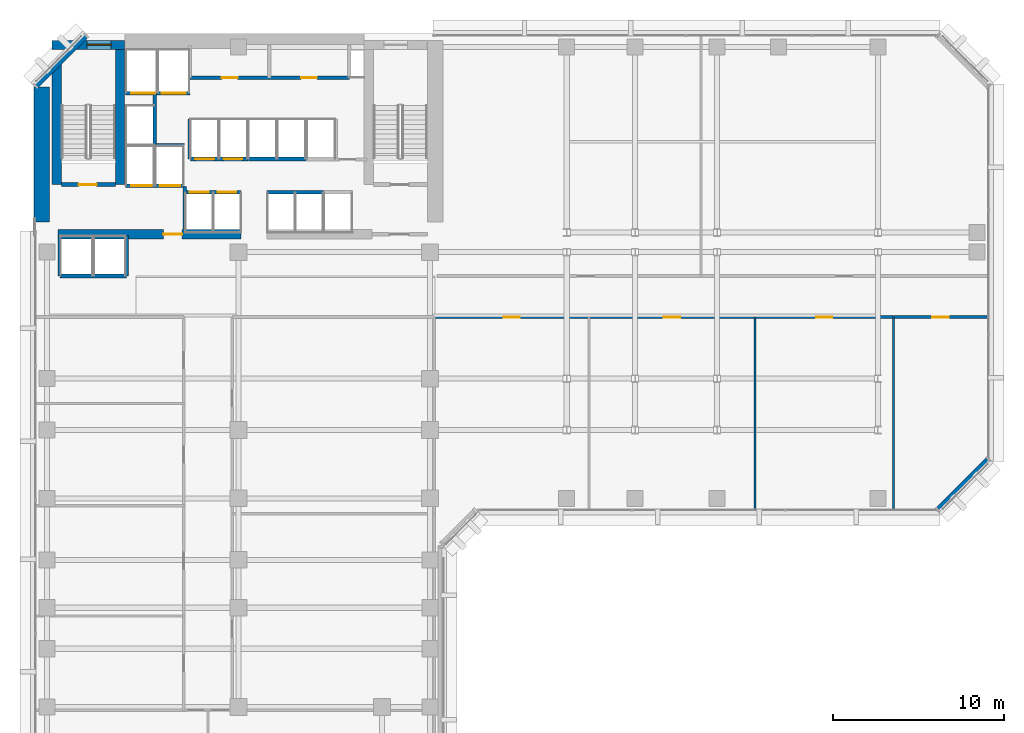
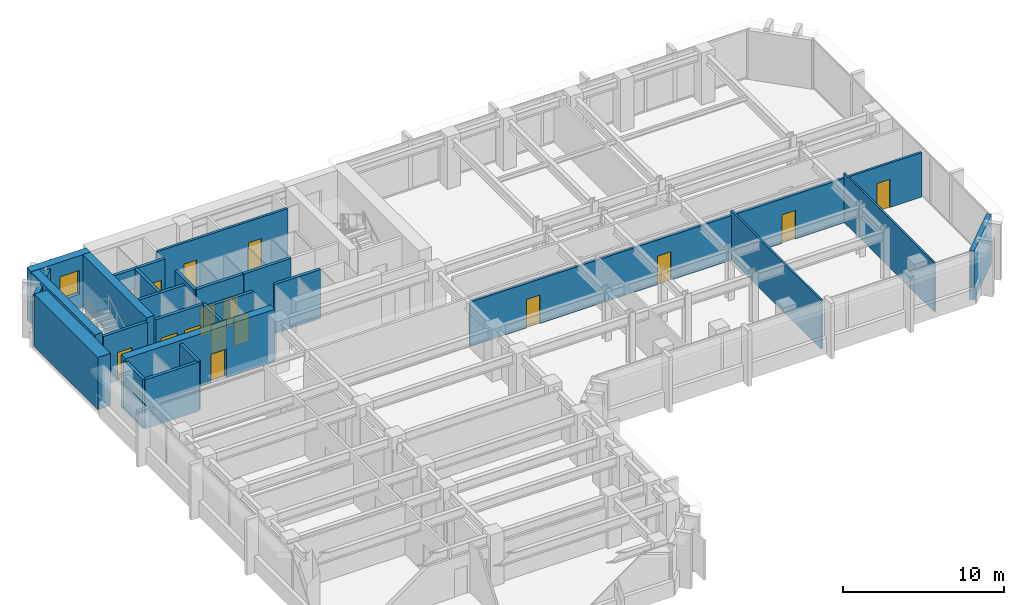
# One storey, part 7 of 13: 25 walls, 16 doors, 1 window, 17 openings.
"""IFC4 building model written with IfcOpenShell, lengths in metres."""

from ifc_helpers import new_model, si_unit, direction, frame, frame_2d, origin, place, context, subcontext, project, spatial, rectangle, extrude, material, layer, layer_set, type_object, element, fill, save


model = new_model("IFC4")

# Units and contexts
model_context = context("Model", 3, precision=1e-05, world=origin(), true_north=direction((0.0, 1.0)))
body_context = subcontext(model_context, "Body", "Model", "MODEL_VIEW")
ifc_project = project(units=[si_unit("LENGTHUNIT", "METRE"), si_unit("AREAUNIT", "SQUARE_METRE"), si_unit("VOLUMEUNIT", "CUBIC_METRE"), si_unit("PLANEANGLEUNIT", "RADIAN"), si_unit("MASSUNIT", "GRAM", prefix="KILO")], contexts=[model_context])

# Site, building, storey
site_placement = place(None, origin())
site = spatial("IfcSite", under=ifc_project, at=site_placement, CompositionType="ELEMENT")
building_placement = place(site_placement, origin())
building = spatial("IfcBuilding", under=site, at=building_placement, Name="Kefirva Bronze Tower", CompositionType="ELEMENT")
storey_placement = place(building_placement, frame((0.0, 0.0, 106.590087890625)))
storey = spatial("IfcBuildingStorey", under=building, at=storey_placement, Name="L25", CompositionType="ELEMENT", Elevation=106.590087890625)

# Walls
ifc_material_1 = material(Name="Gypsum acoustic partition")
ifc_layer_1 = layer(ifc_material_1, 0.1298828125, Name="Gypsum acoustic partition")
ifc_layer_set_1 = layer_set([ifc_layer_1], Name="Gypsum acoustic partition")
wall_type_1 = type_object("IfcWallType", Name="Acoustic Office Partition 130mm", PredefinedType="PARTITIONING", material=ifc_layer_set_1)
for number, where, z_axis, x_axis, name in (
    (1, (42.21875, 18.18994140625, 0.0), (0.0, 0.0, 1.0), (0.0, 1.0, 0.0), "L25 Partition W-L25-ESD2"),
    (2, (50.308837890625, 18.18994140625, 0.0), (0.0, 0.0, 1.0), (0.0, 1.0, 0.0), "L25 Partition W-L25-ESD3"),
):
    element("IfcWall", number, at=place(storey_placement, frame(where, z_axis=z_axis, x_axis=x_axis)), inside=storey, type_object=wall_type_1, Name=name, PredefinedType="PARTITIONING", context=body_context, shape_type="SweptSolid", body=[
        extrude(rectangle(XDim=11.2099609375, YDim=0.1298828125, at=frame_2d((5.60498046875, 0.0))), origin(), (0.0, 0.0, 1.0), 3.7099609375),
    ])

# Wall, opening, door
ifc_material_2 = material(Name="Gypsum fireboard shaftwall")
ifc_layer_2 = layer(ifc_material_2, 0.219970703125, Name="Gypsum fireboard shaftwall")
ifc_layer_set_2 = layer_set([ifc_layer_2], Name="Gypsum fireboard shaftwall")
wall_type_2 = type_object("IfcWallType", Name="Fire-Rated Shaft Enclosure Wall 220mm", PredefinedType="PARTITIONING", material=ifc_layer_set_2)
wall_1_placement = place(storey_placement, frame((1.64990234375, 37.14990234375, 0.0), z_axis=(0.0, 0.0, 1.0), x_axis=(1.0, 0.0, 0.0)))
wall_1 = element("IfcWall", 3, at=wall_1_placement, inside=storey, type_object=wall_type_2, Name="L25 Partition W-L25-ST1S", PredefinedType="PARTITIONING", context=body_context, shape_type="SweptSolid", body=[
    extrude(rectangle(XDim=3.150146484375, YDim=0.219970703125, at=frame_2d((1.5751953125, 0.0))), origin(), (0.0, 0.0, 1.0), 3.7099609375),
])
opening_1_placement = place(wall_1_placement, frame((2.050048828125, 0.0, 0.0), z_axis=(0.0, 0.0, 1.0), x_axis=(-1.0, 0.0, 0.0)))
opening_1 = element("IfcOpeningElement", 4, at=opening_1_placement, cuts=wall_1, Name="Opening L25-D001", PredefinedType="OPENING", context=body_context, shape_type="SweptSolid", body=[
    extrude(rectangle(XDim=1.050048828125, YDim=2.14990234375, at=frame_2d((0.52490234375, 1.074951171875))), frame((0.0, 0.1201171875, 0.0), z_axis=(0.0, -1.0, 0.0), x_axis=(1.0, 0.0, 0.0)), (0.0, 0.0, 1.0), 0.239990234375),
])
ifc_material_3 = material(Name="Painted galvanized steel", Category="steel")
door_type_1 = type_object("IfcDoorType", Name="Fire Stair Enclosure Door 1050x2150 FD90S", OperationType="NOTDEFINED", PredefinedType="DOOR", material=ifc_material_3)
door_1_placement = place(opening_1_placement, origin())
door_1 = element("IfcDoor", 5, at=door_1_placement, inside=storey, type_object=door_type_1, Name="Door L25-D001", OperationType="SINGLE_SWING_LEFT", OverallHeight=2.14990234375, OverallWidth=1.050048828125, PredefinedType="DOOR", context=body_context, shape_type="SweptSolid", body=[
    extrude(rectangle(XDim=1.050048828125, YDim=2.14990234375, at=frame_2d((0.52490234375, 1.074951171875))), frame((0.0, 0.02490234375, 0.0), z_axis=(0.0, -1.0, 0.0), x_axis=(1.0, 0.0, 0.0)), (0.0, 0.0, 1.0), 0.050048828125),
])
fill(opening_1, door_1)

# Wall, openings, doors
wall_2_placement = place(storey_placement, frame((5.3798828125, 37.080078125, 0.0), z_axis=(0.0, 0.0, 1.0), x_axis=(1.0, 0.0, 0.0)))
wall_2 = element("IfcWall", 6, at=wall_2_placement, inside=storey, type_object=wall_type_2, Name="L25 Partition W-L25-FFS", PredefinedType="PARTITIONING", context=body_context, shape_type="SweptSolid", body=[
    extrude(rectangle(XDim=3.460205078125, YDim=0.219970703125, at=frame_2d((1.72998046875, 0.0))), origin(), (0.0, 0.0, 1.0), 3.7099609375),
])
opening_2_placement = place(wall_2_placement, frame((1.550048828125, 0.0, 0.0), z_axis=(0.0, 0.0, 1.0), x_axis=(-1.0, 0.0, 0.0)))
opening_2 = element("IfcOpeningElement", 7, at=opening_2_placement, cuts=wall_2, Name="Opening L25-LD-FF1", PredefinedType="OPENING", context=body_context, shape_type="SweptSolid", body=[
    extrude(rectangle(XDim=1.199951171875, YDim=2.199951171875, at=frame_2d((0.60009765625, 1.10009765625))), frame((0.0, 0.1201171875, 0.0), z_axis=(0.0, -1.0, 0.0), x_axis=(1.0, 0.0, 0.0)), (0.0, 0.0, 1.0), 0.239990234375),
])
opening_3_placement = place(wall_2_placement, frame((3.219970703125, 0.0, 0.0), z_axis=(0.0, 0.0, 1.0), x_axis=(-1.0, 0.0, 0.0)))
opening_3 = element("IfcOpeningElement", 8, at=opening_3_placement, cuts=wall_2, Name="Opening L25-LD-FF2", PredefinedType="OPENING", context=body_context, shape_type="SweptSolid", body=[
    extrude(rectangle(XDim=1.199951171875, YDim=2.199951171875, at=frame_2d((0.60009765625, 1.10009765625))), frame((0.0, 0.1201171875, 0.0), z_axis=(0.0, -1.0, 0.0), x_axis=(1.0, 0.0, 0.0)), (0.0, 0.0, 1.0), 0.239990234375),
])
ifc_material_4 = material(Name="Stainless steel 316", Category="steel")
door_type_2 = type_object("IfcDoorType", Name="Firefighting Lift Sliding Door 1200x2200", OperationType="SLIDING_TO_RIGHT", PredefinedType="DOOR", material=ifc_material_4)
door_2_placement = place(opening_2_placement, origin())
door_2 = element("IfcDoor", 9, at=door_2_placement, inside=storey, type_object=door_type_2, Name="Door L25-LD-FF1", OperationType="SLIDING_TO_RIGHT", OverallHeight=2.199951171875, OverallWidth=1.199951171875, PredefinedType="DOOR", context=body_context, shape_type="SweptSolid", body=[
    extrude(rectangle(XDim=1.199951171875, YDim=2.199951171875, at=frame_2d((0.60009765625, 1.10009765625))), frame((0.0, 0.02490234375, 0.0), z_axis=(0.0, -1.0, 0.0), x_axis=(1.0, 0.0, 0.0)), (0.0, 0.0, 1.0), 0.050048828125),
])
fill(opening_2, door_2)
door_3_placement = place(opening_3_placement, origin())
door_3 = element("IfcDoor", 10, at=door_3_placement, inside=storey, type_object=door_type_2, Name="Door L25-LD-FF2", OperationType="SLIDING_TO_RIGHT", OverallHeight=2.199951171875, OverallWidth=1.199951171875, PredefinedType="DOOR", context=body_context, shape_type="SweptSolid", body=[
    extrude(rectangle(XDim=1.199951171875, YDim=2.199951171875, at=frame_2d((0.60009765625, 1.10009765625))), frame((0.0, 0.02490234375, 0.0), z_axis=(0.0, -1.0, 0.0), x_axis=(1.0, 0.0, 0.0)), (0.0, 0.0, 1.0), 0.050048828125),
])
fill(opening_3, door_3)

# Wall
wall_3_placement = place(storey_placement, frame((5.3798828125, 39.449951171875, 0.0), z_axis=(0.0, 0.0, 1.0), x_axis=(1.0, 0.0, 0.0)))
element("IfcWall", 11, at=wall_3_placement, inside=storey, type_object=wall_type_2, Name="L25 Partition W-L25-FFN", PredefinedType="PARTITIONING", context=body_context, shape_type="SweptSolid", body=[
    extrude(rectangle(XDim=3.460205078125, YDim=0.219970703125, at=frame_2d((1.72998046875, 0.0))), origin(), (0.0, 0.0, 1.0), 3.7099609375),
])

# Wall, openings, doors
wall_4_placement = place(storey_placement, frame((5.3798828125, 42.5, 0.0), z_axis=(0.0, 0.0, 1.0), x_axis=(1.0, 0.0, 0.0)))
wall_4 = element("IfcWall", 12, at=wall_4_placement, inside=storey, type_object=wall_type_2, Name="L25 Partition W-L25-SVS", PredefinedType="PARTITIONING", context=body_context, shape_type="SweptSolid", body=[
    extrude(rectangle(XDim=3.77001953125, YDim=0.219970703125, at=frame_2d((1.885009765625, 0.0))), origin(), (0.0, 0.0, 1.0), 3.7099609375),
])
opening_4_placement = place(wall_4_placement, frame((1.75, 0.0, 0.0), z_axis=(0.0, 0.0, 1.0), x_axis=(-1.0, 0.0, 0.0)))
opening_4 = element("IfcOpeningElement", 13, at=opening_4_placement, cuts=wall_4, Name="Opening L25-LD-SV1", PredefinedType="OPENING", context=body_context, shape_type="SweptSolid", body=[
    extrude(rectangle(XDim=1.39990234375, YDim=2.199951171875, at=frame_2d((0.699951171875, 1.10009765625))), frame((0.0, 0.1201171875, 0.0), z_axis=(0.0, -1.0, 0.0), x_axis=(1.0, 0.0, 0.0)), (0.0, 0.0, 1.0), 0.239990234375),
])
opening_5_placement = place(wall_4_placement, frame((3.52978515625, 0.0, 0.0), z_axis=(0.0, 0.0, 1.0), x_axis=(-1.0, 0.0, 0.0)))
opening_5 = element("IfcOpeningElement", 14, at=opening_5_placement, cuts=wall_4, Name="Opening L25-LD-SV2", PredefinedType="OPENING", context=body_context, shape_type="SweptSolid", body=[
    extrude(rectangle(XDim=1.39990234375, YDim=2.199951171875, at=frame_2d((0.699951171875, 1.10009765625))), frame((0.0, 0.1201171875, 0.0), z_axis=(0.0, -1.0, 0.0), x_axis=(1.0, 0.0, 0.0)), (0.0, 0.0, 1.0), 0.239990234375),
])
door_type_3 = type_object("IfcDoorType", Name="Goods Lift Bi-Parting Sliding Door 1400x2200", OperationType="SLIDING_TO_LEFT", PredefinedType="DOOR", material=ifc_material_4)
door_4_placement = place(opening_4_placement, origin())
door_4 = element("IfcDoor", 15, at=door_4_placement, inside=storey, type_object=door_type_3, Name="Door L25-LD-SV1", OperationType="SLIDING_TO_LEFT", OverallHeight=2.199951171875, OverallWidth=1.39990234375, PredefinedType="DOOR", context=body_context, shape_type="SweptSolid", body=[
    extrude(rectangle(XDim=1.39990234375, YDim=2.199951171875, at=frame_2d((0.699951171875, 1.10009765625))), frame((0.0, 0.02490234375, 0.0), z_axis=(0.0, -1.0, 0.0), x_axis=(1.0, 0.0, 0.0)), (0.0, 0.0, 1.0), 0.050048828125),
])
fill(opening_4, door_4)
door_5_placement = place(opening_5_placement, origin())
door_5 = element("IfcDoor", 16, at=door_5_placement, inside=storey, type_object=door_type_3, Name="Door L25-LD-SV2", OperationType="SLIDING_TO_LEFT", OverallHeight=2.199951171875, OverallWidth=1.39990234375, PredefinedType="DOOR", context=body_context, shape_type="SweptSolid", body=[
    extrude(rectangle(XDim=1.39990234375, YDim=2.199951171875, at=frame_2d((0.699951171875, 1.10009765625))), frame((0.0, 0.02490234375, 0.0), z_axis=(0.0, -1.0, 0.0), x_axis=(1.0, 0.0, 0.0)), (0.0, 0.0, 1.0), 0.050048828125),
])
fill(opening_5, door_5)

# Walls
wall_5_placement = place(storey_placement, frame((7.10009765625, 39.52001953125, 0.0), z_axis=(0.0, 0.0, 1.0), x_axis=(0.0, 1.0, 0.0)))
element("IfcWall", 17, at=wall_5_placement, inside=storey, type_object=wall_type_2, Name="L25 Partition W-L25-HP3E", PredefinedType="PARTITIONING", context=body_context, shape_type="SweptSolid", body=[
    extrude(rectangle(XDim=2.929931640625, YDim=0.219970703125, at=frame_2d((1.46484375, 0.0))), origin(), (0.0, 0.0, 1.0), 3.7099609375),
])
wall_6_placement = place(storey_placement, frame((1.550048828125, 31.800048828125, 0.0), z_axis=(0.0, 0.0, 1.0), x_axis=(1.0, 0.0, 0.0)))
element("IfcWall", 18, at=wall_6_placement, inside=storey, type_object=wall_type_2, Name="L25 Partition W-L25-OBS", PredefinedType="PARTITIONING", context=body_context, shape_type="SweptSolid", body=[
    extrude(rectangle(XDim=3.89990234375, YDim=0.219970703125, at=frame_2d((1.949951171875, 0.0))), origin(), (0.0, 0.0, 1.0), 3.7099609375),
])
for number, where, z_axis, x_axis, name in (
    (19, (1.550048828125, 31.800048828125, 0.0), (0.0, 0.0, 1.0), (0.0, 1.0, 0.0), "L25 Partition W-L25-OBW"),
    (20, (5.449951171875, 31.800048828125, 0.0), (0.0, 0.0, 1.0), (0.0, 1.0, 0.0), "L25 Partition W-L25-OBE"),
):
    element("IfcWall", number, at=place(storey_placement, frame(where, z_axis=z_axis, x_axis=x_axis)), inside=storey, type_object=wall_type_2, Name=name, PredefinedType="PARTITIONING", context=body_context, shape_type="SweptSolid", body=[
        extrude(rectangle(XDim=2.3798828125, YDim=0.219970703125, at=frame_2d((1.18994140625, 0.0))), origin(), (0.0, 0.0, 1.0), 3.7099609375),
    ])
wall_7_placement = place(storey_placement, frame((9.159912109375, 38.64990234375, 0.0), z_axis=(0.0, 0.0, 1.0), x_axis=(0.0, 1.0, 0.0)))
element("IfcWall", 21, at=wall_7_placement, inside=storey, type_object=wall_type_2, Name="L25 Partition W-L25-LP3W", PredefinedType="PARTITIONING", context=body_context, shape_type="SweptSolid", body=[
    extrude(rectangle(XDim=2.35009765625, YDim=0.199951171875, at=frame_2d((1.175048828125, 0.0))), origin(), (0.0, 0.0, 1.0), 3.7099609375),
])

# Wall, openings, doors
wall_8_placement = place(storey_placement, frame((8.89990234375, 36.699951171875, 0.0), z_axis=(0.0, 0.0, 1.0), x_axis=(1.0, 0.0, 0.0)))
wall_8 = element("IfcWall", 22, at=wall_8_placement, inside=storey, type_object=wall_type_2, Name="L25 Partition W-L25-LPS", PredefinedType="PARTITIONING", context=body_context, shape_type="SweptSolid", body=[
    extrude(rectangle(XDim=3.260009765625, YDim=0.219970703125, at=frame_2d((1.6298828125, 0.0))), origin(), (0.0, 0.0, 1.0), 3.7099609375),
])
opening_6_placement = place(wall_8_placement, frame((0.260009765625, 0.0, 0.0)))
opening_6 = element("IfcOpeningElement", 23, at=opening_6_placement, cuts=wall_8, Name="Opening L25-LD-LP1", PredefinedType="OPENING", context=body_context, shape_type="SweptSolid", body=[
    extrude(rectangle(XDim=1.10009765625, YDim=2.199951171875, at=frame_2d((0.550048828125, 1.10009765625))), frame((0.0, 0.1201171875, 0.0), z_axis=(0.0, -1.0, 0.0), x_axis=(1.0, 0.0, 0.0)), (0.0, 0.0, 1.0), 0.239990234375),
])
opening_7_placement = place(wall_8_placement, frame((1.8798828125, 0.0, 0.0)))
opening_7 = element("IfcOpeningElement", 24, at=opening_7_placement, cuts=wall_8, Name="Opening L25-LD-LP2", PredefinedType="OPENING", context=body_context, shape_type="SweptSolid", body=[
    extrude(rectangle(XDim=1.10009765625, YDim=2.199951171875, at=frame_2d((0.550048828125, 1.10009765625))), frame((0.0, 0.1201171875, 0.0), z_axis=(0.0, -1.0, 0.0), x_axis=(1.0, 0.0, 0.0)), (0.0, 0.0, 1.0), 0.239990234375),
])
door_type_4 = type_object("IfcDoorType", Name="Passenger Lift Sliding Landing Door 1100x2200", OperationType="SLIDING_TO_LEFT", PredefinedType="DOOR", material=ifc_material_4)
door_6_placement = place(opening_6_placement, origin())
door_6 = element("IfcDoor", 25, at=door_6_placement, inside=storey, type_object=door_type_4, Name="Door L25-LD-LP1", OperationType="SLIDING_TO_LEFT", OverallHeight=2.199951171875, OverallWidth=1.10009765625, PredefinedType="DOOR", context=body_context, shape_type="SweptSolid", body=[
    extrude(rectangle(XDim=1.10009765625, YDim=2.199951171875, at=frame_2d((0.550048828125, 1.10009765625))), frame((0.0, 0.02490234375, 0.0), z_axis=(0.0, -1.0, 0.0), x_axis=(1.0, 0.0, 0.0)), (0.0, 0.0, 1.0), 0.050048828125),
])
fill(opening_6, door_6)
door_7_placement = place(opening_7_placement, origin())
door_7 = element("IfcDoor", 26, at=door_7_placement, inside=storey, type_object=door_type_4, Name="Door L25-LD-LP2", OperationType="SLIDING_TO_LEFT", OverallHeight=2.199951171875, OverallWidth=1.10009765625, PredefinedType="DOOR", context=body_context, shape_type="SweptSolid", body=[
    extrude(rectangle(XDim=1.10009765625, YDim=2.199951171875, at=frame_2d((0.550048828125, 1.10009765625))), frame((0.0, 0.02490234375, 0.0), z_axis=(0.0, -1.0, 0.0), x_axis=(1.0, 0.0, 0.0)), (0.0, 0.0, 1.0), 0.050048828125),
])
fill(opening_7, door_7)

wall_9_placement = place(storey_placement, frame((9.179931640625, 38.64990234375, 0.0), z_axis=(0.0, 0.0, 1.0), x_axis=(1.0, 0.0, 0.0)))
wall_9 = element("IfcWall", 27, at=wall_9_placement, inside=storey, type_object=wall_type_2, Name="L25 Partition W-L25-LPN", PredefinedType="PARTITIONING", context=body_context, shape_type="SweptSolid", body=[
    extrude(rectangle(XDim=3.380126953125, YDim=0.219970703125, at=frame_2d((1.68994140625, 0.0))), origin(), (0.0, 0.0, 1.0), 3.7099609375),
])
opening_8_placement = place(wall_9_placement, frame((0.300048828125, 0.0, 0.0)))
opening_8 = element("IfcOpeningElement", 28, at=opening_8_placement, cuts=wall_9, Name="Opening L25-LD-LP3", PredefinedType="OPENING", context=body_context, shape_type="SweptSolid", body=[
    extrude(rectangle(XDim=1.10009765625, YDim=2.199951171875, at=frame_2d((0.550048828125, 1.10009765625))), frame((0.0, 0.1201171875, 0.0), z_axis=(0.0, -1.0, 0.0), x_axis=(1.0, 0.0, 0.0)), (0.0, 0.0, 1.0), 0.239990234375),
])
opening_9_placement = place(wall_9_placement, frame((1.949951171875, 0.0, 0.0)))
opening_9 = element("IfcOpeningElement", 29, at=opening_9_placement, cuts=wall_9, Name="Opening L25-LD-LP4", PredefinedType="OPENING", context=body_context, shape_type="SweptSolid", body=[
    extrude(rectangle(XDim=1.10009765625, YDim=2.199951171875, at=frame_2d((0.550048828125, 1.10009765625))), frame((0.0, 0.1201171875, 0.0), z_axis=(0.0, -1.0, 0.0), x_axis=(1.0, 0.0, 0.0)), (0.0, 0.0, 1.0), 0.239990234375),
])
door_8_placement = place(opening_8_placement, origin())
door_8 = element("IfcDoor", 30, at=door_8_placement, inside=storey, type_object=door_type_4, Name="Door L25-LD-LP3", OperationType="SLIDING_TO_LEFT", OverallHeight=2.199951171875, OverallWidth=1.10009765625, PredefinedType="DOOR", context=body_context, shape_type="SweptSolid", body=[
    extrude(rectangle(XDim=1.10009765625, YDim=2.199951171875, at=frame_2d((0.550048828125, 1.10009765625))), frame((0.0, 0.02490234375, 0.0), z_axis=(0.0, -1.0, 0.0), x_axis=(1.0, 0.0, 0.0)), (0.0, 0.0, 1.0), 0.050048828125),
])
fill(opening_8, door_8)
door_9_placement = place(opening_9_placement, origin())
door_9 = element("IfcDoor", 31, at=door_9_placement, inside=storey, type_object=door_type_4, Name="Door L25-LD-LP4", OperationType="SLIDING_TO_LEFT", OverallHeight=2.199951171875, OverallWidth=1.10009765625, PredefinedType="DOOR", context=body_context, shape_type="SweptSolid", body=[
    extrude(rectangle(XDim=1.10009765625, YDim=2.199951171875, at=frame_2d((0.550048828125, 1.10009765625))), frame((0.0, 0.02490234375, 0.0), z_axis=(0.0, -1.0, 0.0), x_axis=(1.0, 0.0, 0.0)), (0.0, 0.0, 1.0), 0.050048828125),
])
fill(opening_9, door_9)

# Walls
wall_10_placement = place(storey_placement, frame((13.679931640625, 36.699951171875, 0.0), z_axis=(0.0, 0.0, 1.0), x_axis=(1.0, 0.0, 0.0)))
element("IfcWall", 32, at=wall_10_placement, inside=storey, type_object=wall_type_2, Name="L25 Partition W-L25-MPS", PredefinedType="PARTITIONING", context=body_context, shape_type="SweptSolid", body=[
    extrude(rectangle(XDim=3.280029296875, YDim=0.219970703125, at=frame_2d((1.64013671875, 0.0))), origin(), (0.0, 0.0, 1.0), 3.7099609375),
])
wall_11_placement = place(storey_placement, frame((12.580078125, 38.64990234375, 0.0), z_axis=(0.0, 0.0, 1.0), x_axis=(1.0, 0.0, 0.0)))
element("IfcWall", 33, at=wall_11_placement, inside=storey, type_object=wall_type_2, Name="L25 Partition W-L25-MPN", PredefinedType="PARTITIONING", context=body_context, shape_type="SweptSolid", body=[
    extrude(rectangle(XDim=3.3798828125, YDim=0.219970703125, at=frame_2d((1.68994140625, 0.0))), origin(), (0.0, 0.0, 1.0), 3.7099609375),
])
ifc_material_5 = material(Name="Gypsum fireboard barrier")
ifc_layer_3 = layer(ifc_material_5, 0.199951171875, Name="Gypsum fireboard barrier")
ifc_layer_set_3 = layer_set([ifc_layer_3], Name="Gypsum fireboard barrier")
wall_type_3 = type_object("IfcWallType", Name="Firefighting Lobby Barrier Wall 200mm", PredefinedType="PARTITIONING", material=ifc_layer_set_3)
wall_12_placement = place(storey_placement, frame((8.860107421875, 34.550048828125, 0.0), z_axis=(0.0, 0.0, 1.0), x_axis=(0.0, 1.0, 0.0)))
element("IfcWall", 34, at=wall_12_placement, inside=storey, type_object=wall_type_3, Name="L25 Partition W-L25-FFLE", PredefinedType="PARTITIONING", context=body_context, shape_type="SweptSolid", body=[
    extrude(rectangle(XDim=2.5, YDim=0.199951171875, at=frame_2d((1.25, 0.0))), origin(), (0.0, 0.0, 1.0), 3.7099609375),
])
ifc_material_6 = material(Name="Precast concrete C40/50", Category="concrete")
ifc_layer_4 = layer(ifc_material_6, 0.320068359375, Name="Precast concrete C40/50")
ifc_layer_set_4 = layer_set([ifc_layer_4], Name="Precast concrete C40/50")
wall_type_4 = type_object("IfcWallType", Name="Precast Insulated Exterior Wall 320mm", PredefinedType="SOLIDWALL", material=ifc_layer_set_4)
for number, where, z_axis, x_axis, name in (
    (35, (52.92578125, 18.152099609375, 0.0), (0.0, 0.0, 1.0), (0.707106781187, 0.707106781187, 0.0), "L25 Exterior Facade Wall 4"),
    (36, (3.07421875, 45.847900390625, 0.0), (0.0, 0.0, 1.0), (-0.707106781187, -0.707106781187, 0.0), "L25 Exterior Facade Wall 6"),
):
    element("IfcWall", number, at=place(storey_placement, frame(where, z_axis=z_axis, x_axis=x_axis)), inside=storey, type_object=wall_type_4, Name=name, PredefinedType="SOLIDWALL", context=body_context, shape_type="SweptSolid", body=[
        extrude(rectangle(XDim=4.132568359375, YDim=0.320068359375, at=frame_2d((2.06640625, 0.0))), origin(), (0.0, 0.0, 1.0), 3.7099609375),
    ])

# Wall, openings, doors
ifc_layer_5 = layer(ifc_material_1, 0.159912109375, Name="Gypsum acoustic partition")
ifc_layer_set_5 = layer_set([ifc_layer_5], Name="Gypsum acoustic partition")
wall_type_5 = type_object("IfcWallType", Name="Protected Corridor Partition 160mm", PredefinedType="PARTITIONING", material=ifc_layer_set_5)
wall_13_placement = place(storey_placement, frame((23.449951171875, 29.39990234375, 0.0), z_axis=(0.0, 0.0, 1.0), x_axis=(1.0, 0.0, 0.0)))
wall_13 = element("IfcWall", 37, at=wall_13_placement, inside=storey, type_object=wall_type_5, Name="L25 Partition W-L25-EWS", PredefinedType="PARTITIONING", context=body_context, shape_type="SweptSolid", body=[
    extrude(rectangle(XDim=32.360107421875, YDim=0.159912109375, at=frame_2d((16.18017578125, 0.0))), origin(), (0.0, 0.0, 1.0), 3.364990234375),
])
opening_10_placement = place(wall_13_placement, frame((5.00537109375, 0.0, 0.0), z_axis=(0.0, 0.0, 1.0), x_axis=(-1.0, 0.0, 0.0)))
opening_10 = element("IfcOpeningElement", 38, at=opening_10_placement, cuts=wall_13, Name="Opening L25-D-ES1", PredefinedType="OPENING", context=body_context, shape_type="SweptSolid", body=[
    extrude(rectangle(XDim=0.949951171875, YDim=2.14990234375, at=frame_2d((0.47509765625, 1.074951171875))), frame((0.0, 0.08984375, 0.0), z_axis=(0.0, -1.0, 0.0), x_axis=(1.0, 0.0, 0.0)), (0.0, 0.0, 1.0), 0.179931640625),
])
opening_11_placement = place(wall_13_placement, frame((14.3896484375, 0.0, 0.0), z_axis=(0.0, 0.0, 1.0), x_axis=(-1.0, 0.0, 0.0)))
opening_11 = element("IfcOpeningElement", 39, at=opening_11_placement, cuts=wall_13, Name="Opening L25-D-ES2", PredefinedType="OPENING", context=body_context, shape_type="SweptSolid", body=[
    extrude(rectangle(XDim=0.949951171875, YDim=2.14990234375, at=frame_2d((0.47509765625, 1.074951171875))), frame((0.0, 0.08984375, 0.0), z_axis=(0.0, -1.0, 0.0), x_axis=(1.0, 0.0, 0.0)), (0.0, 0.0, 1.0), 0.179931640625),
])
opening_12_placement = place(wall_13_placement, frame((23.288818359375, 0.0, 0.0), z_axis=(0.0, 0.0, 1.0), x_axis=(-1.0, 0.0, 0.0)))
opening_12 = element("IfcOpeningElement", 40, at=opening_12_placement, cuts=wall_13, Name="Opening L25-D-ES3", PredefinedType="OPENING", context=body_context, shape_type="SweptSolid", body=[
    extrude(rectangle(XDim=0.949951171875, YDim=2.14990234375, at=frame_2d((0.47509765625, 1.074951171875))), frame((0.0, 0.08984375, 0.0), z_axis=(0.0, -1.0, 0.0), x_axis=(1.0, 0.0, 0.0)), (0.0, 0.0, 1.0), 0.179931640625),
])
opening_13_placement = place(wall_13_placement, frame((30.08447265625, 0.0, 0.0), z_axis=(0.0, 0.0, 1.0), x_axis=(-1.0, 0.0, 0.0)))
opening_13 = element("IfcOpeningElement", 41, at=opening_13_placement, cuts=wall_13, Name="Opening L25-D-ES4", PredefinedType="OPENING", context=body_context, shape_type="SweptSolid", body=[
    extrude(rectangle(XDim=0.949951171875, YDim=2.14990234375, at=frame_2d((0.47509765625, 1.074951171875))), frame((0.0, 0.08984375, 0.0), z_axis=(0.0, -1.0, 0.0), x_axis=(1.0, 0.0, 0.0)), (0.0, 0.0, 1.0), 0.179931640625),
])
ifc_material_7 = material(Name="Acoustic hardwood oak", Category="wood")
door_type_5 = type_object("IfcDoorType", Name="Office & Meeting Room Door 950x2150", OperationType="NOTDEFINED", PredefinedType="DOOR", material=ifc_material_7)
door_10_placement = place(opening_10_placement, origin())
door_10 = element("IfcDoor", 42, at=door_10_placement, inside=storey, type_object=door_type_5, Name="Door L25-D-ES1", OperationType="SINGLE_SWING_RIGHT", OverallHeight=2.14990234375, OverallWidth=0.949951171875, PredefinedType="DOOR", context=body_context, shape_type="SweptSolid", body=[
    extrude(rectangle(XDim=0.949951171875, YDim=2.14990234375, at=frame_2d((0.47509765625, 1.074951171875))), frame((0.0, 0.02490234375, 0.0), z_axis=(0.0, -1.0, 0.0), x_axis=(1.0, 0.0, 0.0)), (0.0, 0.0, 1.0), 0.050048828125),
])
fill(opening_10, door_10)
door_11_placement = place(opening_11_placement, origin())
door_11 = element("IfcDoor", 43, at=door_11_placement, inside=storey, type_object=door_type_5, Name="Door L25-D-ES2", OperationType="SINGLE_SWING_LEFT", OverallHeight=2.14990234375, OverallWidth=0.949951171875, PredefinedType="DOOR", context=body_context, shape_type="SweptSolid", body=[
    extrude(rectangle(XDim=0.949951171875, YDim=2.14990234375, at=frame_2d((0.47509765625, 1.074951171875))), frame((0.0, 0.02490234375, 0.0), z_axis=(0.0, -1.0, 0.0), x_axis=(1.0, 0.0, 0.0)), (0.0, 0.0, 1.0), 0.050048828125),
])
fill(opening_11, door_11)
door_12_placement = place(opening_12_placement, origin())
door_12 = element("IfcDoor", 44, at=door_12_placement, inside=storey, type_object=door_type_5, Name="Door L25-D-ES3", OperationType="SINGLE_SWING_RIGHT", OverallHeight=2.14990234375, OverallWidth=0.949951171875, PredefinedType="DOOR", context=body_context, shape_type="SweptSolid", body=[
    extrude(rectangle(XDim=0.949951171875, YDim=2.14990234375, at=frame_2d((0.47509765625, 1.074951171875))), frame((0.0, 0.02490234375, 0.0), z_axis=(0.0, -1.0, 0.0), x_axis=(1.0, 0.0, 0.0)), (0.0, 0.0, 1.0), 0.050048828125),
])
fill(opening_12, door_12)
door_13_placement = place(opening_13_placement, origin())
door_13 = element("IfcDoor", 45, at=door_13_placement, inside=storey, type_object=door_type_5, Name="Door L25-D-ES4", OperationType="SINGLE_SWING_LEFT", OverallHeight=2.14990234375, OverallWidth=0.949951171875, PredefinedType="DOOR", context=body_context, shape_type="SweptSolid", body=[
    extrude(rectangle(XDim=0.949951171875, YDim=2.14990234375, at=frame_2d((0.47509765625, 1.074951171875))), frame((0.0, 0.02490234375, 0.0), z_axis=(0.0, -1.0, 0.0), x_axis=(1.0, 0.0, 0.0)), (0.0, 0.0, 1.0), 0.050048828125),
])
fill(opening_13, door_13)

# Wall, opening, window
ifc_material_8 = material(Name="Concrete C50/60", Category="concrete")
ifc_layer_6 = layer(ifc_material_8, 0.550048828125, Name="Concrete C50/60")
ifc_layer_set_6 = layer_set([ifc_layer_6], Name="Concrete C50/60")
wall_type_6 = type_object("IfcWallType", Name="RC Rear Core Exterior Wall 550mm", PredefinedType="SHEAR", material=ifc_layer_set_6)
wall_14_placement = place(storey_placement, frame((1.10009765625, 45.320068359375, 0.0), z_axis=(0.0, 0.0, 1.0), x_axis=(1.0, 0.0, 0.0)))
wall_14 = element("IfcWall", 46, at=wall_14_placement, inside=storey, type_object=wall_type_6, Name="L25 Stair 1 North Shear Wall", PredefinedType="SHEAR", context=body_context, shape_type="SweptSolid", body=[
    extrude(rectangle(XDim=4.239990234375, YDim=0.550048828125, at=frame_2d((2.1201171875, 0.0))), origin(), (0.0, 0.0, 1.0), 3.9599609375),
])
opening_14_placement = place(wall_14_placement, frame((2.050048828125, 0.0, 1.050048828125)))
opening_14 = element("IfcOpeningElement", 47, at=opening_14_placement, cuts=wall_14, Name="Opening WN-03", PredefinedType="OPENING", context=body_context, shape_type="SweptSolid", body=[
    extrude(rectangle(XDim=1.39990234375, YDim=1.800048828125, at=frame_2d((0.699951171875, 0.89990234375))), frame((0.0, 0.28515625, 0.0), z_axis=(0.0, -1.0, 0.0), x_axis=(1.0, 0.0, 0.0)), (0.0, 0.0, 1.0), 0.570068359375),
])
ifc_material_9 = material(Name="Laminated low-E double glazing", Category="glass")
window_type = type_object("IfcWindowType", Name="Rear-Core Stair Daylight Window 1400x1800", PartitioningType="SINGLE_PANEL", PredefinedType="WINDOW", material=ifc_material_9)
window_placement = place(opening_14_placement, origin())
window = element("IfcWindow", 48, at=window_placement, inside=storey, type_object=window_type, Name="L25 Stair 1 Daylight Window", OverallHeight=1.800048828125, OverallWidth=1.39990234375, PartitioningType="SINGLE_PANEL", PredefinedType="WINDOW", context=body_context, shape_type="SweptSolid", body=[
    extrude(rectangle(XDim=1.39990234375, YDim=1.800048828125, at=frame_2d((0.699951171875, 0.89990234375))), frame((0.0, 0.030029296875, 0.0), z_axis=(0.0, -1.0, 0.0), x_axis=(1.0, 0.0, 0.0)), (0.0, 0.0, 1.0), 0.06005859375),
])
fill(opening_14, window)

# Walls
ifc_material_10 = material(Name="Concrete C60/75", Category="concrete")
ifc_layer_7 = layer(ifc_material_10, 0.89990234375, Name="Concrete C60/75")
ifc_layer_set_7 = layer_set([ifc_layer_7], Name="Concrete C60/75")
wall_type_7 = type_object("IfcWallType", Name="RC Rear Core Exterior Wall 900mm", PredefinedType="SHEAR", material=ifc_layer_set_7)
wall_15_placement = place(storey_placement, frame((0.5, 34.949951171875, 0.0), z_axis=(0.0, 0.0, 1.0), x_axis=(0.0, 1.0, 0.0)))
element("IfcWall", 49, at=wall_15_placement, inside=storey, type_object=wall_type_7, Name="L25 Rear Core West Shear Wall", PredefinedType="SHEAR", context=body_context, shape_type="SweptSolid", body=[
    extrude(rectangle(XDim=7.900146484375, YDim=0.89990234375, at=frame_2d((3.9501953125, 0.0))), origin(), (0.0, 0.0, 1.0), 3.9599609375),
])
ifc_layer_8 = layer(ifc_material_8, 0.550048828125, Name="Concrete C50/60")
ifc_layer_set_8 = layer_set([ifc_layer_8], Name="Concrete C50/60")
wall_type_8 = type_object("IfcWallType", Name="RC Rear Core Interior Wall 550mm", PredefinedType="SHEAR", material=ifc_layer_set_8)
for number, where, z_axis, x_axis, name in (
    (50, (1.3701171875, 37.14990234375, 0.0), (0.0, 0.0, 1.0), (0.0, 1.0, 0.0), "L25 Stair 1 West Shear Wall"),
    (51, (5.070068359375, 37.14990234375, 0.0), (0.0, 0.0, 1.0), (0.0, 1.0, 0.0), "L25 Stair 1 East Shear Wall"),
):
    element("IfcWall", number, at=place(storey_placement, frame(where, z_axis=z_axis, x_axis=x_axis)), inside=storey, type_object=wall_type_8, Name=name, PredefinedType="SHEAR", context=body_context, shape_type="SweptSolid", body=[
        extrude(rectangle(XDim=7.89013671875, YDim=0.550048828125, at=frame_2d((3.945068359375, 0.0))), origin(), (0.0, 0.0, 1.0), 3.9599609375),
    ])

# Wall, opening, door
ifc_layer_9 = layer(ifc_material_10, 0.89990234375, Name="Concrete C60/75")
ifc_layer_set_9 = layer_set([ifc_layer_9], Name="Concrete C60/75")
wall_type_9 = type_object("IfcWallType", Name="RC Rear Core Interior Wall 900mm", PredefinedType="SHEAR", material=ifc_layer_set_9)
wall_16_placement = place(storey_placement, frame((1.449951171875, 34.25, 0.0), z_axis=(0.0, 0.0, 1.0), x_axis=(1.0, 0.0, 0.0)))
wall_16 = element("IfcWall", 52, at=wall_16_placement, inside=storey, type_object=wall_type_9, Name="L25 Rear Core South-West Shear Wall", PredefinedType="SHEAR", context=body_context, shape_type="SweptSolid", body=[
    extrude(rectangle(XDim=10.7099609375, YDim=0.550048828125, at=frame_2d((5.35498046875, 0.0))), origin(), (0.0, 0.0, 1.0), 3.9599609375),
])
opening_15_placement = place(wall_16_placement, frame((7.25, 0.0, 0.0), z_axis=(0.0, 0.0, 1.0), x_axis=(-1.0, 0.0, 0.0)))
opening_15 = element("IfcOpeningElement", 53, at=opening_15_placement, cuts=wall_16, Name="Opening L25-D002", PredefinedType="OPENING", context=body_context, shape_type="SweptSolid", body=[
    extrude(rectangle(XDim=1.10009765625, YDim=2.14990234375, at=frame_2d((0.550048828125, 1.074951171875))), frame((0.0, 0.28515625, 0.0), z_axis=(0.0, -1.0, 0.0), x_axis=(1.0, 0.0, 0.0)), (0.0, 0.0, 1.0), 0.570068359375),
])
door_type_6 = type_object("IfcDoorType", Name="Firefighting Lobby Smoke Door 1100x2150 FD60S", OperationType="NOTDEFINED", PredefinedType="DOOR", material=ifc_material_3)
door_14_placement = place(opening_15_placement, origin())
door_14 = element("IfcDoor", 54, at=door_14_placement, inside=storey, type_object=door_type_6, Name="Door L25-D002", OperationType="SINGLE_SWING_RIGHT", OverallHeight=2.14990234375, OverallWidth=1.10009765625, PredefinedType="DOOR", context=body_context, shape_type="SweptSolid", body=[
    extrude(rectangle(XDim=1.10009765625, YDim=2.14990234375, at=frame_2d((0.550048828125, 1.074951171875))), frame((0.0, 0.02490234375, 0.0), z_axis=(0.0, -1.0, 0.0), x_axis=(1.0, 0.0, 0.0)), (0.0, 0.0, 1.0), 0.050048828125),
])
fill(opening_15, door_14)

# Wall, openings, doors
ifc_material_11 = material(Name="Moisture-resistant partition")
ifc_layer_10 = layer(ifc_material_11, 0.179931640625, Name="Moisture-resistant partition")
ifc_layer_set_10 = layer_set([ifc_layer_10], Name="Moisture-resistant partition")
wall_type_10 = type_object("IfcWallType", Name="Sanitary Plumbing Chase Wall 180mm", PredefinedType="PLUMBINGWALL", material=ifc_layer_set_10)
wall_17_placement = place(storey_placement, frame((9.14990234375, 43.39990234375, 0.0), z_axis=(0.0, 0.0, 1.0), x_axis=(1.0, 0.0, 0.0)))
wall_17 = element("IfcWall", 55, at=wall_17_placement, inside=storey, type_object=wall_type_10, Name="L25 Partition W-L25-SVCS", PredefinedType="PLUMBINGWALL", context=body_context, shape_type="SweptSolid", body=[
    extrude(rectangle(XDim=9.330078125, YDim=0.179931640625, at=frame_2d((4.6650390625, 0.0))), origin(), (0.0, 0.0, 1.0), 3.7099609375),
])
opening_16_placement = place(wall_17_placement, frame((1.8798828125, 0.0, 0.0)))
opening_16 = element("IfcOpeningElement", 56, at=opening_16_placement, cuts=wall_17, Name="Opening L25-D-CSVC1", PredefinedType="OPENING", context=body_context, shape_type="SweptSolid", body=[
    extrude(rectangle(XDim=0.919921875, YDim=2.10009765625, at=frame_2d((0.4599609375, 1.050048828125))), frame((0.0, 0.10009765625, 0.0), z_axis=(0.0, -1.0, 0.0), x_axis=(1.0, 0.0, 0.0)), (0.0, 0.0, 1.0), 0.199951171875),
])
opening_17_placement = place(wall_17_placement, frame((6.514892578125, 0.0, 0.0)))
opening_17 = element("IfcOpeningElement", 57, at=opening_17_placement, cuts=wall_17, Name="Opening L25-D-CSVC2", PredefinedType="OPENING", context=body_context, shape_type="SweptSolid", body=[
    extrude(rectangle(XDim=0.919921875, YDim=2.10009765625, at=frame_2d((0.4599609375, 1.050048828125))), frame((0.0, 0.10009765625, 0.0), z_axis=(0.0, -1.0, 0.0), x_axis=(1.0, 0.0, 0.0)), (0.0, 0.0, 1.0), 0.199951171875),
])
ifc_material_12 = material(Name="Moisture-resistant timber", Category="wood")
door_type_7 = type_object("IfcDoorType", Name="Accessible Sanitary & WC Door 920x2100", OperationType="NOTDEFINED", PredefinedType="DOOR", material=ifc_material_12)
door_15_placement = place(opening_16_placement, origin())
door_15 = element("IfcDoor", 58, at=door_15_placement, inside=storey, type_object=door_type_7, Name="Door L25-D-CSVC1", OperationType="SINGLE_SWING_RIGHT", OverallHeight=2.10009765625, OverallWidth=0.919921875, PredefinedType="DOOR", context=body_context, shape_type="SweptSolid", body=[
    extrude(rectangle(XDim=0.919921875, YDim=2.10009765625, at=frame_2d((0.4599609375, 1.050048828125))), frame((0.0, 0.02490234375, 0.0), z_axis=(0.0, -1.0, 0.0), x_axis=(1.0, 0.0, 0.0)), (0.0, 0.0, 1.0), 0.050048828125),
])
fill(opening_16, door_15)
door_16_placement = place(opening_17_placement, origin())
door_16 = element("IfcDoor", 59, at=door_16_placement, inside=storey, type_object=door_type_7, Name="Door L25-D-CSVC2", OperationType="SINGLE_SWING_LEFT", OverallHeight=2.10009765625, OverallWidth=0.919921875, PredefinedType="DOOR", context=body_context, shape_type="SweptSolid", body=[
    extrude(rectangle(XDim=0.919921875, YDim=2.10009765625, at=frame_2d((0.4599609375, 1.050048828125))), frame((0.0, 0.02490234375, 0.0), z_axis=(0.0, -1.0, 0.0), x_axis=(1.0, 0.0, 0.0)), (0.0, 0.0, 1.0), 0.050048828125),
])
fill(opening_17, door_16)

save(model, "model.ifc")
